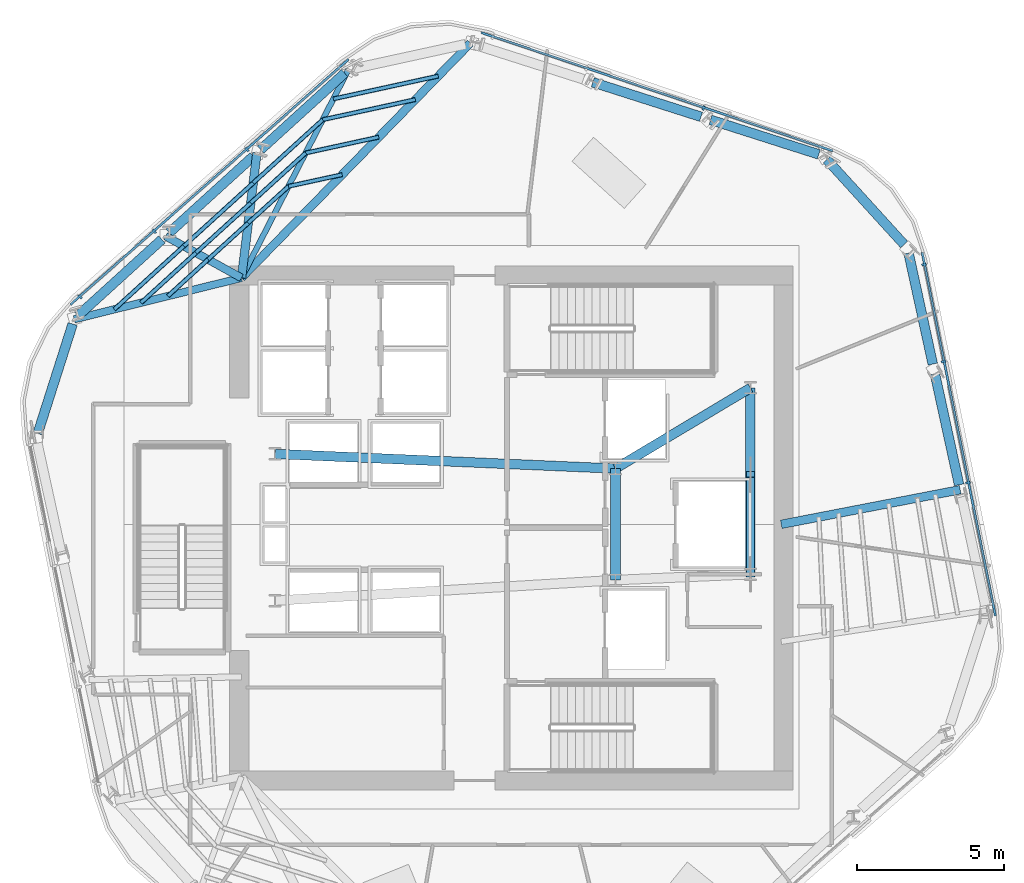
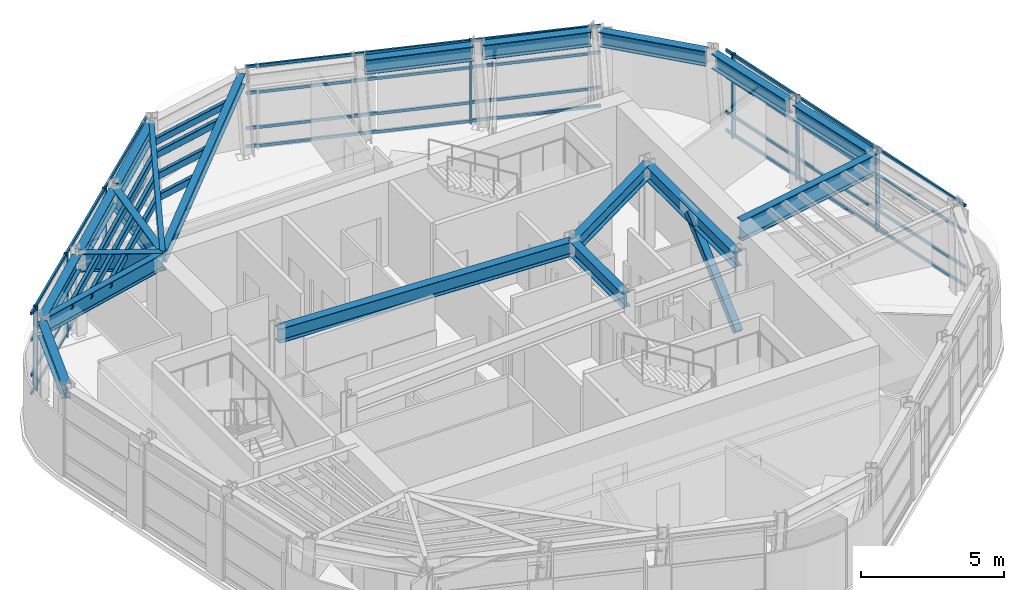
# One storey, part 4 of 15: 33 members, 19 beams, 3 elements without a shape of their own.
"""IFC4 building model written with IfcOpenShell, lengths in metres."""

from ifc_helpers import new_model, si_unit, direction, frame, origin, origin_2d, place, context, subcontext, project, spatial, rectangle, hollow_rectangle, i_section, extrude, material, layer, layer_set, material_profile, profile_set, type_object, element, aggregate, save


model = new_model("IFC4")

# Units and contexts
model_context = context("Model", 3, precision=1e-05, world=origin(), true_north=direction((0.0, 1.0)))
body_context = subcontext(model_context, "Body", "Model", "MODEL_VIEW")
ifc_project = project(units=[si_unit("LENGTHUNIT", "METRE"), si_unit("AREAUNIT", "SQUARE_METRE"), si_unit("VOLUMEUNIT", "CUBIC_METRE"), si_unit("PLANEANGLEUNIT", "RADIAN"), si_unit("MASSUNIT", "GRAM", prefix="KILO")], contexts=[model_context])

# Site, building, storey
site_placement = place(None, origin())
site = spatial("IfcSite", under=ifc_project, at=site_placement, CompositionType="ELEMENT")
building_placement = place(site_placement, origin())
building = spatial("IfcBuilding", under=site, at=building_placement, Name="Valkerne Bourse Tower", CompositionType="ELEMENT")
storey_placement = place(building_placement, frame((0.0, 0.0, 201.800048828125)))
storey = spatial("IfcBuildingStorey", under=building, at=storey_placement, Name="L51", CompositionType="ELEMENT", Elevation=201.800048828125)

# Beams
ifc_material_1 = material(Name="Steel ASTM A992", Category="steel")
ifc_material_profile_1 = material_profile(ifc_material_1, i_section(OverallWidth=0.1904296875, OverallDepth=0.457275390625, WebThickness=0.009033203125, FlangeThickness=0.014404296875, FilletRadius=0.01513671875, at=origin_2d()), Name="W18X50")
ifc_profile_set_1 = profile_set([ifc_material_profile_1], Name="Steel ASTM A992")
beam_type_1 = type_object("IfcBeamType", Name="BM-W18X50", PredefinedType="JOIST", material=ifc_profile_set_1)
beam_1_placement = place(storey_placement, frame((41.243896484375, 42.49365234375, 3.371337890625), z_axis=(-0.456910095693, -0.889512880432, 0.0), x_axis=(0.889512880432, -0.456910095693, 0.0)))
element("IfcBeam", 1, at=beam_1_placement, inside=storey, type_object=beam_type_1, Name="L51 Radial Composite Floor Beam 04", PredefinedType="JOIST", context=body_context, shape_type="SweptSolid", body=[
    extrude(i_section(OverallWidth=0.1904296875, OverallDepth=0.457275390625, WebThickness=0.009033203125, FlangeThickness=0.014404296875, FilletRadius=0.01513671875, at=origin_2d()), origin(), (0.0, 0.0, 1.0), 7.974853515625),
])
ifc_material_profile_2 = material_profile(ifc_material_1, i_section(OverallWidth=0.279296875, OverallDepth=0.46240234375, WebThickness=0.0107421875, FlangeThickness=0.017333984375, FilletRadius=0.017822265625, at=origin_2d()), Name="W18X76")
ifc_profile_set_2 = profile_set([ifc_material_profile_2], Name="Steel ASTM A992")
beam_type_2 = type_object("IfcBeamType", Name="BM-W18X76", PredefinedType="BEAM", material=ifc_profile_set_2)
beam_2_placement = place(storey_placement, frame((45.402099609375, 43.400146484375, 3.36865234375), z_axis=(-0.69818105358, -0.715921236185, 0.0), x_axis=(0.715921236185, -0.69818105358, 0.0)))
element("IfcBeam", 2, at=beam_2_placement, inside=storey, type_object=beam_type_2, Name="L51 Radial Composite Floor Beam 03", PredefinedType="BEAM", context=body_context, shape_type="SweptSolid", body=[
    extrude(i_section(OverallWidth=0.279296875, OverallDepth=0.46240234375, WebThickness=0.0107421875, FlangeThickness=0.017333984375, FilletRadius=0.017822265625, at=origin_2d()), origin(), (0.0, 0.0, 1.0), 11.1748046875),
])
ifc_material_profile_3 = material_profile(ifc_material_1, i_section(OverallWidth=0.3251953125, OverallDepth=0.612060546875, WebThickness=0.0126953125, FlangeThickness=0.01904296875, FilletRadius=0.020263671875, at=origin_2d()), Name="W24X104")
ifc_profile_set_3 = profile_set([ifc_material_profile_3], Name="Steel ASTM A992")
beam_type_3 = type_object("IfcBeamType", Name="BM-W24X104", PredefinedType="BEAM", material=ifc_profile_set_3)
beam_3_placement = place(storey_placement, frame((50.35009765625, 25.10009765625, 3.2939453125), z_axis=(0.0, 1.0, 0.0), x_axis=(-1.0, 0.0, 0.0)))
element("IfcBeam", 3, at=beam_3_placement, inside=storey, type_object=beam_type_3, Name="L51 Core Frame Girder CG-CE", PredefinedType="BEAM", context=body_context, shape_type="SweptSolid", body=[
    extrude(i_section(OverallWidth=0.3251953125, OverallDepth=0.612060546875, WebThickness=0.0126953125, FlangeThickness=0.01904296875, FilletRadius=0.020263671875, at=origin_2d()), origin(), (0.0, 0.0, 1.0), 3.7998046875),
])
beam_4_placement = place(storey_placement, frame((50.35009765625, 28.89990234375, 3.2939453125), z_axis=(0.858307823492, 0.513135148019, 0.0), x_axis=(-0.513135148019, 0.858307823492, 0.0)))
element("IfcBeam", 4, at=beam_4_placement, inside=storey, type_object=beam_type_3, Name="L51 Core Frame Girder CG-NE", PredefinedType="BEAM", context=body_context, shape_type="SweptSolid", body=[
    extrude(i_section(OverallWidth=0.3251953125, OverallDepth=0.612060546875, WebThickness=0.0126953125, FlangeThickness=0.01904296875, FilletRadius=0.020263671875, at=origin_2d()), origin(), (0.0, 0.0, 1.0), 5.359130859375),
])
beam_5_placement = place(storey_placement, frame((54.949951171875, 25.300048828125, 3.2939453125), z_axis=(0.0, 1.0, 0.0), x_axis=(-1.0, 0.0, 0.0)))
element("IfcBeam", 5, at=beam_5_placement, inside=storey, type_object=beam_type_3, Name="L51 Core Frame Girder CG-EE", PredefinedType="BEAM", context=body_context, shape_type="SweptSolid", body=[
    extrude(i_section(OverallWidth=0.3251953125, OverallDepth=0.612060546875, WebThickness=0.0126953125, FlangeThickness=0.01904296875, FilletRadius=0.020263671875, at=origin_2d()), origin(), (0.0, 0.0, 1.0), 6.349853515625),
])
beam_6_placement = place(storey_placement, frame((38.75, 29.39990234375, 3.2939453125), z_axis=(0.999072354402, -0.043063101019, 0.0), x_axis=(0.043063101019, 0.999072354402, 0.0)))
element("IfcBeam", 6, at=beam_6_placement, inside=storey, type_object=beam_type_3, Name="L51 Core Frame Girder CG-NW", PredefinedType="BEAM", context=body_context, shape_type="SweptSolid", body=[
    extrude(i_section(OverallWidth=0.3251953125, OverallDepth=0.612060546875, WebThickness=0.0126953125, FlangeThickness=0.01904296875, FilletRadius=0.020263671875, at=origin_2d()), origin(), (0.0, 0.0, 1.0), 11.61083984375),
])
ifc_material_profile_4 = material_profile(ifc_material_1, i_section(OverallWidth=0.32763671875, OverallDepth=0.62744140625, WebThickness=0.0166015625, FlangeThickness=0.027587890625, FilletRadius=0.020263671875, at=origin_2d()), Name="W24X146")
ifc_profile_set_4 = profile_set([ifc_material_profile_4], Name="Steel ASTM A992")
beam_type_4 = type_object("IfcBeamType", Name="BM-W24X146", PredefinedType="SPANDREL", material=ifc_profile_set_4)
beam_7_placement = place(storey_placement, frame((57.27783203125, 39.610107421875, 3.2861328125), z_axis=(-0.952659599791, 0.304038956264, 0.0), x_axis=(-0.304038956264, -0.952659599791, 0.0)))
element("IfcBeam", 7, at=beam_7_placement, inside=storey, type_object=beam_type_4, Name="L51 Hexagonal Spandrel Ring Beam 00", PredefinedType="SPANDREL", context=body_context, shape_type="SweptSolid", body=[
    extrude(i_section(OverallWidth=0.32763671875, OverallDepth=0.62744140625, WebThickness=0.0166015625, FlangeThickness=0.027587890625, FilletRadius=0.020263671875, at=origin_2d()), origin(), (0.0, 0.0, 1.0), 3.8720703125),
])
beam_8_placement = place(storey_placement, frame((53.26513671875, 40.890625, 3.2861328125), z_axis=(-0.952653770716, 0.304057220174, 0.0), x_axis=(-0.304057220174, -0.952653770716, 0.0)))
element("IfcBeam", 8, at=beam_8_placement, inside=storey, type_object=beam_type_4, Name="L51 Hexagonal Spandrel Ring Beam 01", PredefinedType="SPANDREL", context=body_context, shape_type="SweptSolid", body=[
    extrude(i_section(OverallWidth=0.32763671875, OverallDepth=0.62744140625, WebThickness=0.0166015625, FlangeThickness=0.027587890625, FilletRadius=0.020263671875, at=origin_2d()), origin(), (0.0, 0.0, 1.0), 3.871826171875),
])
for number, where, z_axis, x_axis, name in (
    (9, (41.118408203125, 42.379150390625, 3.2861328125), (-0.739643294031, -0.672999106682, 0.0), (0.672999106682, -0.739643294031, 0.0), "L51 Hexagonal Spandrel Ring Beam 04"),
    (10, (38.0029296875, 39.54443359375, 3.2861328125), (-0.739614734791, -0.673030492682, 0.0), (0.673030492682, -0.739614734791, 0.0), "L51 Hexagonal Spandrel Ring Beam 05"),
    (11, (34.8876953125, 36.709716796875, 3.2861328125), (-0.739643294031, -0.672999106682, 0.0), (0.672999106682, -0.739643294031, 0.0), "L51 Hexagonal Spandrel Ring Beam 06"),
):
    element("IfcBeam", number, at=place(storey_placement, frame(where, z_axis=z_axis, x_axis=x_axis)), inside=storey, type_object=beam_type_4, Name=name, PredefinedType="SPANDREL", context=body_context, shape_type="SweptSolid", body=[
        extrude(i_section(OverallWidth=0.32763671875, OverallDepth=0.62744140625, WebThickness=0.0166015625, FlangeThickness=0.027587890625, FilletRadius=0.020263671875, at=origin_2d()), origin(), (0.0, 0.0, 1.0), 3.8720703125),
    ])
beam_9_placement = place(storey_placement, frame((31.846435546875, 33.827392578125, 3.2861328125), z_axis=(-0.304024521907, -0.95266420636, 0.0), x_axis=(0.95266420636, -0.304024521907, 0.0)))
element("IfcBeam", 12, at=beam_9_placement, inside=storey, type_object=beam_type_4, Name="L51 Hexagonal Spandrel Ring Beam 07", PredefinedType="SPANDREL", context=body_context, shape_type="SweptSolid", body=[
    extrude(i_section(OverallWidth=0.32763671875, OverallDepth=0.62744140625, WebThickness=0.0166015625, FlangeThickness=0.027587890625, FilletRadius=0.020263671875, at=origin_2d()), origin(), (0.0, 0.0, 1.0), 3.91552734375),
])
beam_10_placement = place(storey_placement, frame((62.062255859375, 28.34619140625, 3.2861328125), z_axis=(-0.213049984296, 0.97704130117, 0.0), x_axis=(-0.97704130117, -0.213049984296, 0.0)))
element("IfcBeam", 13, at=beam_10_placement, inside=storey, type_object=beam_type_4, Name="L51 Hexagonal Spandrel Ring Beam 21", PredefinedType="SPANDREL", context=body_context, shape_type="SweptSolid", body=[
    extrude(i_section(OverallWidth=0.32763671875, OverallDepth=0.62744140625, WebThickness=0.0166015625, FlangeThickness=0.027587890625, FilletRadius=0.020263671875, at=origin_2d()), origin(), (0.0, 0.0, 1.0), 3.8720703125),
])
beam_11_placement = place(storey_placement, frame((61.1650390625, 32.461669921875, 3.2861328125), z_axis=(-0.213063109736, 0.977038438993, 0.0), x_axis=(-0.977038438993, -0.213063109736, 0.0)))
element("IfcBeam", 14, at=beam_11_placement, inside=storey, type_object=beam_type_4, Name="L51 Hexagonal Spandrel Ring Beam 22", PredefinedType="SPANDREL", context=body_context, shape_type="SweptSolid", body=[
    extrude(i_section(OverallWidth=0.32763671875, OverallDepth=0.62744140625, WebThickness=0.0166015625, FlangeThickness=0.027587890625, FilletRadius=0.020263671875, at=origin_2d()), origin(), (0.0, 0.0, 1.0), 3.871826171875),
])
beam_12_placement = place(storey_placement, frame((60.189453125, 36.53662109375, 3.2861328125), z_axis=(-0.673026514817, 0.739618354527, 0.0), x_axis=(-0.739618354527, -0.673026514817, 0.0)))
element("IfcBeam", 15, at=beam_12_placement, inside=storey, type_object=beam_type_4, Name="L51 Hexagonal Spandrel Ring Beam 23", PredefinedType="SPANDREL", context=body_context, shape_type="SweptSolid", body=[
    extrude(i_section(OverallWidth=0.32763671875, OverallDepth=0.62744140625, WebThickness=0.0166015625, FlangeThickness=0.027587890625, FilletRadius=0.020263671875, at=origin_2d()), origin(), (0.0, 0.0, 1.0), 3.91552734375),
])
ifc_material_profile_5 = material_profile(ifc_material_1, i_section(OverallWidth=0.255859375, OverallDepth=0.693359375, WebThickness=0.014404296875, FlangeThickness=0.023681640625, FilletRadius=0.02294921875, at=origin_2d()), Name="W27X114")
ifc_profile_set_5 = profile_set([ifc_material_profile_5], Name="Steel ASTM A992")
beam_type_5 = type_object("IfcBeamType", Name="BM-W27X114", PredefinedType="BEAM", material=ifc_profile_set_5)
beam_13_placement = place(storey_placement, frame((31.898193359375, 33.989501953125, 3.253173828125), z_axis=(0.97074340322, 0.240119231017, 0.0), x_axis=(-0.240119231017, 0.97074340322, 0.0)))
element("IfcBeam", 16, at=beam_13_placement, inside=storey, type_object=beam_type_5, Name="L51 Radial Composite Floor Beam 07", PredefinedType="BEAM", context=body_context, shape_type="SweptSolid", body=[
    extrude(i_section(OverallWidth=0.255859375, OverallDepth=0.693359375, WebThickness=0.014404296875, FlangeThickness=0.023681640625, FilletRadius=0.02294921875, at=origin_2d()), origin(), (0.0, 0.0, 1.0), 5.873779296875),
])
ifc_material_profile_6 = material_profile(ifc_material_1, i_section(OverallWidth=0.26806640625, OverallDepth=0.76953125, WebThickness=0.015625, FlangeThickness=0.025390625, FilletRadius=0.025390625, at=origin_2d()), Name="W30X132")
ifc_profile_set_6 = profile_set([ifc_material_profile_6], Name="Steel ASTM A992")
beam_type_6 = type_object("IfcBeamType", Name="BM-W30X132", PredefinedType="BEAM", material=ifc_profile_set_6)
beam_14_placement = place(storey_placement, frame((35.013427734375, 36.82421875, 3.215087890625), z_axis=(0.875980146, -0.482347161092, 0.0), x_axis=(0.482347161092, 0.875980146, 0.0)))
element("IfcBeam", 17, at=beam_14_placement, inside=storey, type_object=beam_type_6, Name="L51 Radial Composite Floor Beam 06", PredefinedType="BEAM", context=body_context, shape_type="SweptSolid", body=[
    extrude(i_section(OverallWidth=0.26806640625, OverallDepth=0.76953125, WebThickness=0.015625, FlangeThickness=0.025390625, FilletRadius=0.025390625, at=origin_2d()), origin(), (0.0, 0.0, 1.0), 2.952880859375),
])
ifc_material_profile_7 = material_profile(ifc_material_1, i_section(OverallWidth=0.2919921875, OverallDepth=0.8583984375, WebThickness=0.01708984375, FlangeThickness=0.031005859375, FilletRadius=0.025390625, at=origin_2d()), Name="W33X169")
ifc_profile_set_7 = profile_set([ifc_material_profile_7], Name="Steel ASTM A992")
beam_type_7 = type_object("IfcBeamType", Name="BM-W33X169", PredefinedType="BEAM", material=ifc_profile_set_7)
beam_15_placement = place(storey_placement, frame((38.128662109375, 39.65869140625, 3.170654296875), z_axis=(-0.123166460929, -0.992386025145, 0.0), x_axis=(0.992386025145, -0.123166460929, 0.0)))
element("IfcBeam", 18, at=beam_15_placement, inside=storey, type_object=beam_type_7, Name="L51 Radial Composite Floor Beam 05", PredefinedType="BEAM", context=body_context, shape_type="SweptSolid", body=[
    extrude(i_section(OverallWidth=0.2919921875, OverallDepth=0.8583984375, WebThickness=0.01708984375, FlangeThickness=0.031005859375, FilletRadius=0.025390625, at=origin_2d()), origin(), (0.0, 0.0, 1.0), 4.29150390625),
])
beam_16_placement = place(storey_placement, frame((62.098388671875, 28.18017578125, 3.170654296875), z_axis=(-0.981784581006, -0.189997464453, 0.0), x_axis=(0.189997464453, -0.981784581006, 0.0)))
element("IfcBeam", 19, at=beam_16_placement, inside=storey, type_object=beam_type_7, Name="L51 Radial Composite Floor Beam 21", PredefinedType="BEAM", context=body_context, shape_type="SweptSolid", body=[
    extrude(i_section(OverallWidth=0.2919921875, OverallDepth=0.8583984375, WebThickness=0.01708984375, FlangeThickness=0.031005859375, FilletRadius=0.025390625, at=origin_2d()), origin(), (0.0, 0.0, 1.0), 6.21142578125),
])

# Curtain wall, member
ifc_material_2 = material(Name="Aluminium AA 6063-T6", Category="aluminium")
ifc_layer = layer(ifc_material_2, 0.239990234375)
ifc_layer_set = layer_set([ifc_layer], Name="Aluminium AA 6063-T6")
curtain_wall_type = type_object("IfcCurtainWallType", Name="CW-04", PredefinedType="NOTDEFINED", material=ifc_layer_set)
curtain_wall_1_placement = place(storey_placement, origin())
curtain_wall_1 = element("IfcCurtainWall", 20, at=curtain_wall_1_placement, inside=storey, type_object=curtain_wall_type, Name="L51 Hexagonal Stick Curtain Wall Face 1", PredefinedType="NOTDEFINED")
ifc_material_profile_8 = material_profile(ifc_material_2, rectangle(XDim=0.074951171875, YDim=0.159912109375, at=origin_2d()), Name="CWM-75X160")
ifc_profile_set_8 = profile_set([ifc_material_profile_8], Name="Aluminium AA 6063-T6")
member_type_1 = type_object("IfcMemberType", Name="CW-MUL-160X75", PredefinedType="MULLION", material=ifc_profile_set_8)
member_1_placement = place(storey_placement, frame((53.354248046875, 41.189453125, 0.0), z_axis=(0.0, 0.0, 1.0), x_axis=(-0.947772459851, 0.318947275184, 0.0)))
member_1 = element("IfcMember", 21, at=member_1_placement, type_object=member_type_1, Name="CW-L51-F1 Jamb Mullion 01A", PredefinedType="MULLION", context=body_context, shape_type="SweptSolid", body=[
    extrude(rectangle(XDim=0.074951171875, YDim=0.159912109375, at=origin_2d()), origin(), (0.0, 0.0, 1.0), 3.599853515625),
])

# Curtain wall, members
curtain_wall_2_placement = place(storey_placement, origin())
curtain_wall_2 = element("IfcCurtainWall", 22, at=curtain_wall_2_placement, inside=storey, type_object=curtain_wall_type, Name="L51 Hexagonal Stick Curtain Wall Face 2", PredefinedType="NOTDEFINED")
member_2_placement = place(storey_placement, frame((37.788818359375, 39.770751953125, 0.0), z_axis=(0.0, 0.0, 1.0), x_axis=(-0.750097617551, -0.6613271234, 0.0)))
member_2 = element("IfcMember", 23, at=member_2_placement, type_object=member_type_1, Name="CW-L51-F2 Jamb Mullion 01A", PredefinedType="MULLION", context=body_context, shape_type="SweptSolid", body=[
    extrude(rectangle(XDim=0.074951171875, YDim=0.159912109375, at=origin_2d()), origin(), (0.0, 0.0, 1.0), 3.599853515625),
])
member_3_placement = place(storey_placement, frame((34.62939453125, 36.9853515625, 0.0), z_axis=(0.0, 0.0, 1.0), x_axis=(-0.750119777976, -0.661301987513, 0.0)))
member_3 = element("IfcMember", 24, at=member_3_placement, type_object=member_type_1, Name="CW-L51-F2 Jamb Mullion 02A", PredefinedType="MULLION", context=body_context, shape_type="SweptSolid", body=[
    extrude(rectangle(XDim=0.074951171875, YDim=0.159912109375, at=origin_2d()), origin(), (0.0, 0.0, 1.0), 3.599853515625),
])
member_4_placement = place(storey_placement, frame((32.099853515625, 34.75537109375, 0.0), z_axis=(0.0, 0.0, 1.0), x_axis=(-0.750119777976, -0.661301987513, 0.0)))
member_4 = element("IfcMember", 25, at=member_4_placement, type_object=member_type_1, Name="CW-L51-F2 Jamb Mullion 02B", PredefinedType="MULLION", context=body_context, shape_type="SweptSolid", body=[
    extrude(rectangle(XDim=0.074951171875, YDim=0.159912109375, at=origin_2d()), origin(), (0.0, 0.0, 1.0), 3.599853515625),
])

curtain_wall_3_placement = place(storey_placement, origin())
curtain_wall_3 = element("IfcCurtainWall", 26, at=curtain_wall_3_placement, inside=storey, type_object=curtain_wall_type, Name="L51 Hexagonal Stick Curtain Wall Face 6", PredefinedType="NOTDEFINED")
member_5_placement = place(storey_placement, frame((62.365478515625, 28.418701171875, 0.0), z_axis=(0.0, 0.0, 1.0), x_axis=(-0.197672790823, 0.980268059139, 0.0)))
member_5 = element("IfcMember", 27, at=member_5_placement, type_object=member_type_1, Name="CW-L51-F6 Jamb Mullion 01A", PredefinedType="MULLION", context=body_context, shape_type="SweptSolid", body=[
    extrude(rectangle(XDim=0.074951171875, YDim=0.159912109375, at=origin_2d()), origin(), (0.0, 0.0, 1.0), 3.599853515625),
])
member_6_placement = place(storey_placement, frame((61.532958984375, 32.547607421875, 0.0), z_axis=(0.0, 0.0, 1.0), x_axis=(-0.197649976729, 0.980272659365, 0.0)))
member_6 = element("IfcMember", 28, at=member_6_placement, type_object=member_type_1, Name="CW-L51-F6 Jamb Mullion 02A", PredefinedType="MULLION", context=body_context, shape_type="SweptSolid", body=[
    extrude(rectangle(XDim=0.074951171875, YDim=0.159912109375, at=origin_2d()), origin(), (0.0, 0.0, 1.0), 3.599853515625),
])
member_7_placement = place(storey_placement, frame((60.866455078125, 35.85302734375, 0.0), z_axis=(0.0, 0.0, 1.0), x_axis=(-0.197649976729, 0.980272659365, 0.0)))
member_7 = element("IfcMember", 29, at=member_7_placement, type_object=member_type_1, Name="CW-L51-F6 Jamb Mullion 02B", PredefinedType="MULLION", context=body_context, shape_type="SweptSolid", body=[
    extrude(rectangle(XDim=0.074951171875, YDim=0.159912109375, at=origin_2d()), origin(), (0.0, 0.0, 1.0), 3.599853515625),
])

# Member
ifc_material_profile_9 = material_profile(ifc_material_2, rectangle(XDim=0.074951171875, YDim=0.1201171875, at=origin_2d()), Name="CWT-75X120")
ifc_profile_set_9 = profile_set([ifc_material_profile_9], Name="Aluminium AA 6063-T6")
member_type_2 = type_object("IfcMemberType", Name="CW-TRN-120X75", PredefinedType="USERDEFINED", material=ifc_profile_set_9)
member_8_placement = place(storey_placement, frame((57.75048828125, 39.73095703125, 0.119873046875), z_axis=(-0.947769334947, 0.318956560889, 0.0), x_axis=(-0.318956560889, -0.947769334947, 0.0)))
member_8 = element("IfcMember", 30, at=member_8_placement, type_object=member_type_2, Name="CW-L51-F1 Continuous Face Transom 1", ObjectType="TRANSOM", PredefinedType="USERDEFINED", context=body_context, shape_type="SweptSolid", body=[
    extrude(rectangle(XDim=0.074951171875, YDim=0.1201171875, at=origin_2d()), origin(), (0.0, 0.0, 1.0), 12.6357421875),
])

member_9_placement = place(storey_placement, frame((57.75048828125, 39.73095703125, 0.89990234375), z_axis=(-0.947769334947, 0.318956560889, 0.0), x_axis=(-0.318956560889, -0.947769334947, 0.0)))
member_9 = element("IfcMember", 31, at=member_9_placement, type_object=member_type_2, Name="CW-L51-F1 Continuous Face Transom 2", ObjectType="TRANSOM", PredefinedType="USERDEFINED", context=body_context, shape_type="SweptSolid", body=[
    extrude(rectangle(XDim=0.074951171875, YDim=0.1201171875, at=origin_2d()), origin(), (0.0, 0.0, 1.0), 12.6357421875),
])

member_10_placement = place(storey_placement, frame((57.75048828125, 39.73095703125, 2.39990234375), z_axis=(-0.947769334947, 0.318956560889, 0.0), x_axis=(-0.318956560889, -0.947769334947, 0.0)))
member_10 = element("IfcMember", 32, at=member_10_placement, type_object=member_type_2, Name="CW-L51-F1 Continuous Face Transom 3", ObjectType="TRANSOM", PredefinedType="USERDEFINED", context=body_context, shape_type="SweptSolid", body=[
    extrude(rectangle(XDim=0.074951171875, YDim=0.1201171875, at=origin_2d()), origin(), (0.0, 0.0, 1.0), 12.6357421875),
])

member_11_placement = place(storey_placement, frame((57.75048828125, 39.73095703125, 3.52001953125), z_axis=(-0.947769334947, 0.318956560889, 0.0), x_axis=(-0.318956560889, -0.947769334947, 0.0)))
member_11 = element("IfcMember", 33, at=member_11_placement, type_object=member_type_2, Name="CW-L51-F1 Continuous Face Transom 4", ObjectType="TRANSOM", PredefinedType="USERDEFINED", context=body_context, shape_type="SweptSolid", body=[
    extrude(rectangle(XDim=0.074951171875, YDim=0.1201171875, at=origin_2d()), origin(), (0.0, 0.0, 1.0), 12.6357421875),
])

aggregate(curtain_wall_1, [member_8, member_9, member_10, member_11, member_1])

member_12_placement = place(storey_placement, frame((41.25, 42.848876953125, 0.119873046875), z_axis=(-0.750120272734, -0.661301426305, 0.0), x_axis=(0.661301426305, -0.750120272734, 0.0)))
member_12 = element("IfcMember", 34, at=member_12_placement, type_object=member_type_2, Name="CW-L51-F2 Continuous Face Transom 1", ObjectType="TRANSOM", PredefinedType="USERDEFINED", context=body_context, shape_type="SweptSolid", body=[
    extrude(rectangle(XDim=0.074951171875, YDim=0.1201171875, at=origin_2d()), origin(), (0.0, 0.0, 1.0), 12.635986328125),
])

member_13_placement = place(storey_placement, frame((41.25, 42.848876953125, 0.89990234375), z_axis=(-0.750120272734, -0.661301426305, 0.0), x_axis=(0.661301426305, -0.750120272734, 0.0)))
member_13 = element("IfcMember", 35, at=member_13_placement, type_object=member_type_2, Name="CW-L51-F2 Continuous Face Transom 2", ObjectType="TRANSOM", PredefinedType="USERDEFINED", context=body_context, shape_type="SweptSolid", body=[
    extrude(rectangle(XDim=0.074951171875, YDim=0.1201171875, at=origin_2d()), origin(), (0.0, 0.0, 1.0), 12.635986328125),
])

member_14_placement = place(storey_placement, frame((41.25, 42.848876953125, 2.39990234375), z_axis=(-0.750120272734, -0.661301426305, 0.0), x_axis=(0.661301426305, -0.750120272734, 0.0)))
member_14 = element("IfcMember", 36, at=member_14_placement, type_object=member_type_2, Name="CW-L51-F2 Continuous Face Transom 3", ObjectType="TRANSOM", PredefinedType="USERDEFINED", context=body_context, shape_type="SweptSolid", body=[
    extrude(rectangle(XDim=0.074951171875, YDim=0.1201171875, at=origin_2d()), origin(), (0.0, 0.0, 1.0), 12.635986328125),
])

member_15_placement = place(storey_placement, frame((41.25, 42.848876953125, 3.52001953125), z_axis=(-0.750120272734, -0.661301426305, 0.0), x_axis=(0.661301426305, -0.750120272734, 0.0)))
member_15 = element("IfcMember", 37, at=member_15_placement, type_object=member_type_2, Name="CW-L51-F2 Continuous Face Transom 4", ObjectType="TRANSOM", PredefinedType="USERDEFINED", context=body_context, shape_type="SweptSolid", body=[
    extrude(rectangle(XDim=0.074951171875, YDim=0.1201171875, at=origin_2d()), origin(), (0.0, 0.0, 1.0), 12.635986328125),
])

aggregate(curtain_wall_2, [member_12, member_13, member_14, member_15, member_2, member_3, member_4])

member_16_placement = place(storey_placement, frame((63.300537109375, 23.882080078125, 0.119873046875), z_axis=(-0.197654145129, 0.980271818892, 0.0), x_axis=(-0.980271818892, -0.197654145129, 0.0)))
member_16 = element("IfcMember", 38, at=member_16_placement, type_object=member_type_2, Name="CW-L51-F6 Continuous Face Transom 1", ObjectType="TRANSOM", PredefinedType="USERDEFINED", context=body_context, shape_type="SweptSolid", body=[
    extrude(rectangle(XDim=0.074951171875, YDim=0.1201171875, at=origin_2d()), origin(), (0.0, 0.0, 1.0), 12.635986328125),
])

member_17_placement = place(storey_placement, frame((63.300537109375, 23.882080078125, 0.89990234375), z_axis=(-0.197654145129, 0.980271818892, 0.0), x_axis=(-0.980271818892, -0.197654145129, 0.0)))
member_17 = element("IfcMember", 39, at=member_17_placement, type_object=member_type_2, Name="CW-L51-F6 Continuous Face Transom 2", ObjectType="TRANSOM", PredefinedType="USERDEFINED", context=body_context, shape_type="SweptSolid", body=[
    extrude(rectangle(XDim=0.074951171875, YDim=0.1201171875, at=origin_2d()), origin(), (0.0, 0.0, 1.0), 12.635986328125),
])

member_18_placement = place(storey_placement, frame((63.300537109375, 23.882080078125, 2.39990234375), z_axis=(-0.197654145129, 0.980271818892, 0.0), x_axis=(-0.980271818892, -0.197654145129, 0.0)))
member_18 = element("IfcMember", 40, at=member_18_placement, type_object=member_type_2, Name="CW-L51-F6 Continuous Face Transom 3", ObjectType="TRANSOM", PredefinedType="USERDEFINED", context=body_context, shape_type="SweptSolid", body=[
    extrude(rectangle(XDim=0.074951171875, YDim=0.1201171875, at=origin_2d()), origin(), (0.0, 0.0, 1.0), 12.635986328125),
])

member_19_placement = place(storey_placement, frame((63.300537109375, 23.882080078125, 3.52001953125), z_axis=(-0.197654145129, 0.980271818892, 0.0), x_axis=(-0.980271818892, -0.197654145129, 0.0)))
member_19 = element("IfcMember", 41, at=member_19_placement, type_object=member_type_2, Name="CW-L51-F6 Continuous Face Transom 4", ObjectType="TRANSOM", PredefinedType="USERDEFINED", context=body_context, shape_type="SweptSolid", body=[
    extrude(rectangle(XDim=0.074951171875, YDim=0.1201171875, at=origin_2d()), origin(), (0.0, 0.0, 1.0), 12.635986328125),
])

aggregate(curtain_wall_3, [member_16, member_17, member_18, member_19, member_5, member_6, member_7])

# Members
ifc_material_3 = material(Name="Steel ASTM A500 Grade C", Category="steel")
ifc_material_profile_10 = material_profile(ifc_material_3, hollow_rectangle(XDim=0.14990234375, YDim=0.300048828125, WallThickness=0.012451171875, OuterFilletRadius=0.02490234375, at=origin_2d()), Name="HSS300X150X12.5")
ifc_profile_set_10 = profile_set([ifc_material_profile_10], Name="Steel ASTM A500 Grade C")
member_type_3 = type_object("IfcMemberType", Name="MBR-HSS300X150X12.5", PredefinedType="PURLIN", material=ifc_profile_set_10)
member_20_placement = place(storey_placement, frame((41.032958984375, 38.919921875, 3.43994140625), z_axis=(-0.977071517147, -0.212911367427, 0.0), x_axis=(0.212911367427, -0.977071517147, 0.0)))
element("IfcMember", 42, at=member_20_placement, inside=storey, type_object=member_type_3, Name="L51 Secondary Composite Floor Purlin K-03", PredefinedType="PURLIN", context=body_context, shape_type="SweptSolid", body=[
    extrude(hollow_rectangle(XDim=0.14990234375, YDim=0.300048828125, WallThickness=0.012451171875, OuterFilletRadius=0.02490234375, at=origin_2d()), origin(), (0.0, 0.0, 1.0), 1.87255859375),
])
for number, where, z_axis, x_axis, name in (
    (43, (39.203369140625, 38.521240234375, 3.43994140625), (-0.739647938932, -0.672994001781, 0.0), (0.672994001781, -0.739647938932, 0.0), "L51 Secondary Composite Floor Purlin K-04"),
    (44, (37.83251953125, 37.27392578125, 3.43994140625), (-0.739588268229, -0.673059576484, 0.0), (0.673059576484, -0.739588268229, 0.0), "L51 Secondary Composite Floor Purlin K-05"),
    (45, (36.4619140625, 36.026611328125, 3.43994140625), (-0.739588268229, -0.673059576484, 0.0), (0.673059576484, -0.739588268229, 0.0), "L51 Secondary Composite Floor Purlin K-06"),
):
    element("IfcMember", number, at=place(storey_placement, frame(where, z_axis=z_axis, x_axis=x_axis)), inside=storey, type_object=member_type_3, Name=name, PredefinedType="PURLIN", context=body_context, shape_type="SweptSolid", body=[
        extrude(hollow_rectangle(XDim=0.14990234375, YDim=0.300048828125, WallThickness=0.012451171875, OuterFilletRadius=0.02490234375, at=origin_2d()), origin(), (0.0, 0.0, 1.0), 1.853271484375),
    ])
member_21_placement = place(storey_placement, frame((43.529541015625, 41.47998046875, 3.43994140625), z_axis=(-0.977049477062, -0.213012486424, 0.0), x_axis=(0.213012486424, -0.977049477062, 0.0)))
element("IfcMember", 46, at=member_21_placement, inside=storey, type_object=member_type_3, Name="L51 Secondary Composite Floor Purlin O-03", PredefinedType="PURLIN", context=body_context, shape_type="SweptSolid", body=[
    extrude(hollow_rectangle(XDim=0.14990234375, YDim=0.300048828125, WallThickness=0.012451171875, OuterFilletRadius=0.02490234375, at=origin_2d()), origin(), (0.0, 0.0, 1.0), 3.234375),
])
member_22_placement = place(storey_placement, frame((40.369384765625, 40.791015625, 3.43994140625), z_axis=(-0.739650116069, -0.672991609011, 0.0), x_axis=(0.672991609011, -0.739650116069, 0.0)))
element("IfcMember", 47, at=member_22_placement, inside=storey, type_object=member_type_3, Name="L51 Secondary Composite Floor Purlin O-04", PredefinedType="PURLIN", context=body_context, shape_type="SweptSolid", body=[
    extrude(hollow_rectangle(XDim=0.14990234375, YDim=0.300048828125, WallThickness=0.012451171875, OuterFilletRadius=0.02490234375, at=origin_2d()), origin(), (0.0, 0.0, 1.0), 3.201171875),
])
member_23_placement = place(storey_placement, frame((38.001708984375, 38.63671875, 3.43994140625), z_axis=(-0.739615569875, -0.67302957498, 0.0), x_axis=(0.67302957498, -0.739615569875, 0.0)))
element("IfcMember", 48, at=member_23_placement, inside=storey, type_object=member_type_3, Name="L51 Secondary Composite Floor Purlin O-05", PredefinedType="PURLIN", context=body_context, shape_type="SweptSolid", body=[
    extrude(hollow_rectangle(XDim=0.14990234375, YDim=0.300048828125, WallThickness=0.012451171875, OuterFilletRadius=0.02490234375, at=origin_2d()), origin(), (0.0, 0.0, 1.0), 3.200927734375),
])
member_24_placement = place(storey_placement, frame((35.63427734375, 36.482421875, 3.43994140625), z_axis=(-0.739612152127, -0.673033330843, 0.0), x_axis=(0.673033330843, -0.739612152127, 0.0)))
element("IfcMember", 49, at=member_24_placement, inside=storey, type_object=member_type_3, Name="L51 Secondary Composite Floor Purlin O-06", PredefinedType="PURLIN", context=body_context, shape_type="SweptSolid", body=[
    extrude(hollow_rectangle(XDim=0.14990234375, YDim=0.300048828125, WallThickness=0.012451171875, OuterFilletRadius=0.02490234375, at=origin_2d()), origin(), (0.0, 0.0, 1.0), 3.201171875),
])
member_25_placement = place(storey_placement, frame((42.28125, 40.2001953125, 3.43994140625), z_axis=(-0.977047610735, -0.213021046748, 0.0), x_axis=(0.213021046748, -0.977047610735, 0.0)))
element("IfcMember", 50, at=member_25_placement, inside=storey, type_object=member_type_3, Name="L51 Secondary Composite Floor Purlin Z-03", PredefinedType="PURLIN", context=body_context, shape_type="SweptSolid", body=[
    extrude(hollow_rectangle(XDim=0.14990234375, YDim=0.300048828125, WallThickness=0.012451171875, OuterFilletRadius=0.02490234375, at=origin_2d()), origin(), (0.0, 0.0, 1.0), 2.553466796875),
])
for number, where, z_axis, x_axis, name in (
    (51, (39.786376953125, 39.65625, 3.43994140625), (-0.739603395251, -0.673042953855, 0.0), (0.673042953855, -0.739603395251, 0.0), "L51 Secondary Composite Floor Purlin Z-04"),
    (52, (37.917236328125, 37.955322265625, 3.43994140625), (-0.739603395251, -0.673042953855, 0.0), (0.673042953855, -0.739603395251, 0.0), "L51 Secondary Composite Floor Purlin Z-05"),
    (53, (36.048095703125, 36.25439453125, 3.43994140625), (-0.739651484704, -0.672990104813, 0.0), (0.672990104813, -0.739651484704, 0.0), "L51 Secondary Composite Floor Purlin Z-06"),
):
    element("IfcMember", number, at=place(storey_placement, frame(where, z_axis=z_axis, x_axis=x_axis)), inside=storey, type_object=member_type_3, Name=name, PredefinedType="PURLIN", context=body_context, shape_type="SweptSolid", body=[
        extrude(hollow_rectangle(XDim=0.14990234375, YDim=0.300048828125, WallThickness=0.012451171875, OuterFilletRadius=0.02490234375, at=origin_2d()), origin(), (0.0, 0.0, 1.0), 2.527099609375),
    ])
member_26_placement = place(storey_placement, frame((44.309814453125, 42.280029296875, 3.43994140625), z_axis=(-0.977053383172, -0.212994569022, 0.0), x_axis=(0.212994569022, -0.977053383172, 0.0)))
element("IfcMember", 54, at=member_26_placement, inside=storey, type_object=member_type_3, Name="L51 Secondary Composite Floor Purlin T-03", PredefinedType="PURLIN", context=body_context, shape_type="SweptSolid", body=[
    extrude(hollow_rectangle(XDim=0.14990234375, YDim=0.300048828125, WallThickness=0.012451171875, OuterFilletRadius=0.02490234375, at=origin_2d()), origin(), (0.0, 0.0, 1.0), 3.659912109375),
])
ifc_material_profile_11 = material_profile(ifc_material_3, hollow_rectangle(XDim=0.300048828125, YDim=0.300048828125, WallThickness=0.012451171875, OuterFilletRadius=0.02490234375, at=origin_2d()), Name="HSS300X300X12.5")
ifc_profile_set_11 = profile_set([ifc_material_profile_11], Name="Steel ASTM A500 Grade C")
member_type_4 = type_object("IfcMemberType", Name="MBR-HSS300X300X12.5", PredefinedType="STRUT", material=ifc_profile_set_11)
member_27_placement = place(storey_placement, frame((54.949951171875, 25.300048828125, 0.219970703125), z_axis=(0.0, 0.741766660352, 0.670658051163), x_axis=(-1.0, 0.0, 0.0)))
element("IfcMember", 55, at=member_27_placement, inside=storey, type_object=member_type_4, Name="L51 Core Service Pier Lateral Brace", PredefinedType="STRUT", context=body_context, shape_type="SweptSolid", body=[
    extrude(hollow_rectangle(XDim=0.300048828125, YDim=0.300048828125, WallThickness=0.012451171875, OuterFilletRadius=0.02490234375, at=origin_2d()), origin(), (0.0, 0.0, 1.0), 4.58349609375),
])

save(model, "model.ifc")
